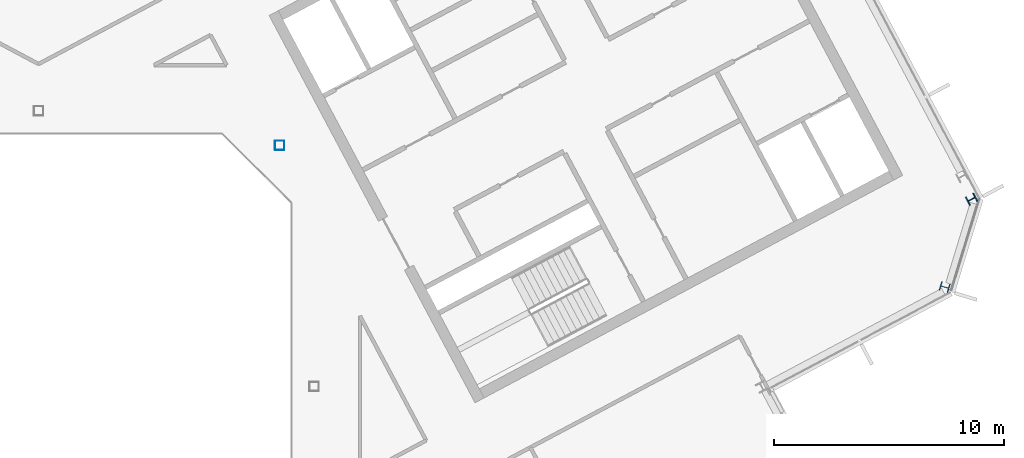
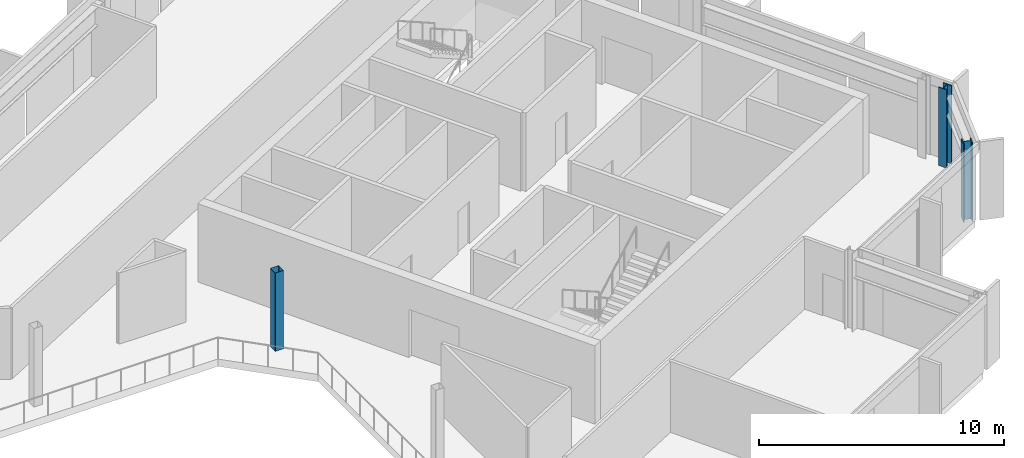
# One storey, part 6 of 25: 3 columns.
"""IFC4 building model written with IfcOpenShell, lengths in metres."""

from ifc_helpers import new_model, si_unit, direction, frame, origin, origin_2d, place, context, subcontext, project, spatial, hollow_rectangle, i_section, extrude, material, material_profile, profile_set, type_object, element, save


model = new_model("IFC4")

# Units and contexts
model_context = context("Model", 3, precision=1e-05, world=origin(), true_north=direction((0.0, 1.0)))
body_context = subcontext(model_context, "Body", "Model", "MODEL_VIEW")
ifc_project = project(units=[si_unit("LENGTHUNIT", "METRE"), si_unit("AREAUNIT", "SQUARE_METRE"), si_unit("VOLUMEUNIT", "CUBIC_METRE"), si_unit("PLANEANGLEUNIT", "RADIAN"), si_unit("MASSUNIT", "GRAM", prefix="KILO")], contexts=[model_context])

# Site, building, storey
site_placement = place(None, origin())
site = spatial("IfcSite", under=ifc_project, at=site_placement, CompositionType="ELEMENT")
building_placement = place(site_placement, origin())
building = spatial("IfcBuilding", under=site, at=building_placement, Name="Cormorant Relay Tower", CompositionType="ELEMENT")
storey_placement = place(building_placement, frame((0.0, 0.0, 265.800048828125)))
storey = spatial("IfcBuildingStorey", under=building, at=storey_placement, Name="L59", CompositionType="ELEMENT", Elevation=265.800048828125)

# Columns
ifc_material_1 = material(Name="Steel ASTM A500 Grade C (Fy 345 MPa)", Category="steel")
ifc_material_profile_1 = material_profile(ifc_material_1, hollow_rectangle(XDim=0.406494140625, YDim=0.406494140625, WallThickness=0.0087890625, InnerFilletRadius=0.00439453125, OuterFilletRadius=0.01318359375, at=origin_2d()), Name="HSS406x406x9")
ifc_profile_set_1 = profile_set([ifc_material_profile_1], Name="Steel ASTM A500 Grade C (Fy 345 MPa)")
column_type_1 = type_object("IfcColumnType", Name="Column HSS406x406x9", PredefinedType="COLUMN", material=ifc_profile_set_1)
column_placement = place(storey_placement, frame((10.5, 10.5, 0.0), z_axis=(0.0, 0.0, 1.0), x_axis=(1.0, 0.0, 0.0)))
element("IfcColumn", 1, at=column_placement, inside=storey, type_object=column_type_1, Name="Column L59-024", PredefinedType="COLUMN", context=body_context, shape_type="SweptSolid", body=[
    extrude(hollow_rectangle(XDim=0.406494140625, YDim=0.406494140625, WallThickness=0.0087890625, InnerFilletRadius=0.00439453125, OuterFilletRadius=0.01318359375, at=origin_2d()), origin(), (0.0, 0.0, 1.0), 3.89990234375),
])
ifc_material_2 = material(Name="Steel ASTM A992 (Fy 345 MPa)", Category="steel")
ifc_material_profile_2 = material_profile(ifc_material_2, i_section(OverallWidth=0.40380859375, OverallDepth=0.406494140625, WebThickness=0.027099609375, FlangeThickness=0.043701171875, FilletRadius=0.01513671875, at=origin_2d()), Name="W360x347")
ifc_profile_set_2 = profile_set([ifc_material_profile_2], Name="Steel ASTM A992 (Fy 345 MPa)")
column_type_2 = type_object("IfcColumnType", Name="Column W360x347", PredefinedType="COLUMN", material=ifc_profile_set_2)
for number, where, z_axis, x_axis, name in (
    (2, (39.464111328125, 4.330078125, 0.0), (0.0, 0.0, 1.0), (0.292371704723, 0.956304755963, 0.0), "Column L59-019"),
    (3, (40.633056640625, 8.153076171875, 0.0), (0.0, 0.0, 1.0), (-0.469471562786, 0.882947592859, 0.0), "Column L59-020"),
):
    element("IfcColumn", number, at=place(storey_placement, frame(where, z_axis=z_axis, x_axis=x_axis)), inside=storey, type_object=column_type_2, Name=name, PredefinedType="COLUMN", context=body_context, shape_type="SweptSolid", body=[
        extrude(i_section(OverallWidth=0.40380859375, OverallDepth=0.406494140625, WebThickness=0.027099609375, FlangeThickness=0.043701171875, FilletRadius=0.01513671875, at=origin_2d()), origin(), (0.0, 0.0, 1.0), 3.89990234375),
    ])

save(model, "model.ifc")
